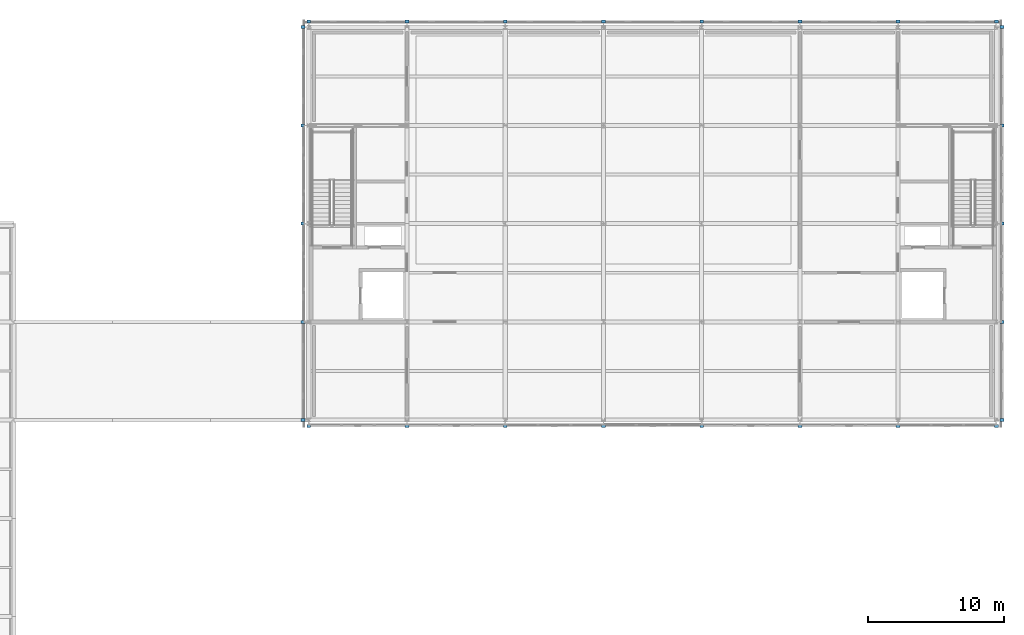
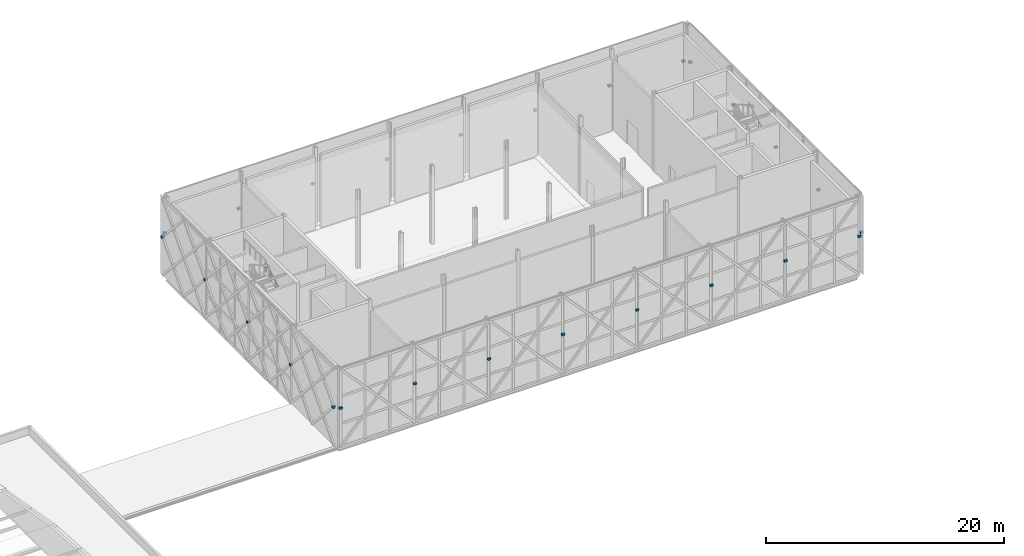
# One storey, part 73 of 76: 26 discrete accessories.
"""IFC4 building model written with IfcOpenShell, lengths in metres."""

from ifc_helpers import new_model, si_unit, direction, frame, origin, origin_2d, place, context, subcontext, project, spatial, rectangle, extrude, material, type_object, element, save


model = new_model("IFC4")

# Units and contexts
model_context = context("Model", 3, precision=1e-05, world=origin(), true_north=direction((0.0, 1.0)))
body_context = subcontext(model_context, "Body", "Model", "MODEL_VIEW")
ifc_project = project(units=[si_unit("LENGTHUNIT", "METRE"), si_unit("AREAUNIT", "SQUARE_METRE"), si_unit("VOLUMEUNIT", "CUBIC_METRE"), si_unit("PLANEANGLEUNIT", "RADIAN"), si_unit("MASSUNIT", "GRAM", prefix="KILO")], contexts=[model_context])

# Site, building, storey
site_placement = place(None, origin())
site = spatial("IfcSite", under=ifc_project, at=site_placement, CompositionType="ELEMENT")
building_placement = place(site_placement, origin())
building = spatial("IfcBuilding", under=site, at=building_placement, Name="Zlatovets Crest Museum", CompositionType="ELEMENT")
storey_placement = place(building_placement, frame((0.0, 0.0, 17.10009765625)))
storey = spatial("IfcBuildingStorey", under=building, at=storey_placement, Name="L04", CompositionType="ELEMENT", Elevation=17.10009765625)

# Discrete accessories
ifc_material = material(Name="Structural steel S355J2", Category="steel")
discrete_accessory_type = type_object("IfcDiscreteAccessoryType", Name="LatticeBracket_BK01", PredefinedType="BRACKET", material=ifc_material)
for number, where, z_axis, x_axis, name in (
    (1, (57.60009765625, 85.97998046875, 3.93994140625), (0.0, 0.0, 1.0), (1.0, 0.0, 0.0), "Bronze Lattice Structural Collector Bracket"),
    (2, (64.800048828125, 85.97998046875, 3.93994140625), (0.0, 0.0, 1.0), (1.0, 0.0, 0.0), "Bronze Lattice Structural Collector Bracket"),
    (3, (72.0, 85.97998046875, 3.93994140625), (0.0, 0.0, 1.0), (1.0, 0.0, 0.0), "Bronze Lattice Structural Collector Bracket"),
    (4, (79.199951171875, 85.97998046875, 3.93994140625), (0.0, 0.0, 1.0), (1.0, 0.0, 0.0), "Bronze Lattice Structural Collector Bracket"),
    (5, (86.39990234375, 85.97998046875, 3.93994140625), (0.0, 0.0, 1.0), (1.0, 0.0, 0.0), "Bronze Lattice Structural Collector Bracket"),
    (6, (93.60009765625, 85.97998046875, 3.93994140625), (0.0, 0.0, 1.0), (1.0, 0.0, 0.0), "Bronze Lattice Structural Collector Bracket"),
    (7, (100.800048828125, 85.97998046875, 3.93994140625), (0.0, 0.0, 1.0), (1.0, 0.0, 0.0), "Bronze Lattice Structural Collector Bracket"),
    (8, (108.0, 85.97998046875, 3.93994140625), (0.0, 0.0, 1.0), (1.0, 0.0, 0.0), "Bronze Lattice Structural Collector Bracket"),
    (9, (108.419921875, 86.39990234375, 3.93994140625), (0.0, 0.0, 1.0), (1.0, 0.0, 0.0), "Bronze Lattice Structural Collector Bracket"),
    (10, (108.419921875, 93.60009765625, 3.93994140625), (0.0, 0.0, 1.0), (1.0, 0.0, 0.0), "Bronze Lattice Structural Collector Bracket"),
    (11, (108.419921875, 100.800048828125, 3.93994140625), (0.0, 0.0, 1.0), (1.0, 0.0, 0.0), "Bronze Lattice Structural Collector Bracket"),
    (12, (108.419921875, 108.0, 3.93994140625), (0.0, 0.0, 1.0), (1.0, 0.0, 0.0), "Bronze Lattice Structural Collector Bracket"),
    (13, (108.419921875, 115.199951171875, 3.93994140625), (0.0, 0.0, 1.0), (1.0, 0.0, 0.0), "Bronze Lattice Structural Collector Bracket"),
    (14, (108.0, 115.6201171875, 3.93994140625), (0.0, 0.0, 1.0), (1.0, 0.0, 0.0), "Bronze Lattice Structural Collector Bracket"),
    (15, (100.800048828125, 115.6201171875, 3.93994140625), (0.0, 0.0, 1.0), (1.0, 0.0, 0.0), "Bronze Lattice Structural Collector Bracket"),
    (16, (93.60009765625, 115.6201171875, 3.93994140625), (0.0, 0.0, 1.0), (1.0, 0.0, 0.0), "Bronze Lattice Structural Collector Bracket"),
    (17, (86.39990234375, 115.6201171875, 3.93994140625), (0.0, 0.0, 1.0), (1.0, 0.0, 0.0), "Bronze Lattice Structural Collector Bracket"),
    (18, (79.199951171875, 115.6201171875, 3.93994140625), (0.0, 0.0, 1.0), (1.0, 0.0, 0.0), "Bronze Lattice Structural Collector Bracket"),
    (19, (72.0, 115.6201171875, 3.93994140625), (0.0, 0.0, 1.0), (1.0, 0.0, 0.0), "Bronze Lattice Structural Collector Bracket"),
    (20, (64.800048828125, 115.6201171875, 3.93994140625), (0.0, 0.0, 1.0), (1.0, 0.0, 0.0), "Bronze Lattice Structural Collector Bracket"),
    (21, (57.60009765625, 115.6201171875, 3.93994140625), (0.0, 0.0, 1.0), (1.0, 0.0, 0.0), "Bronze Lattice Structural Collector Bracket"),
    (22, (57.179931640625, 115.199951171875, 3.93994140625), (0.0, 0.0, 1.0), (1.0, 0.0, 0.0), "Bronze Lattice Structural Collector Bracket"),
    (23, (57.179931640625, 108.0, 3.93994140625), (0.0, 0.0, 1.0), (1.0, 0.0, 0.0), "Bronze Lattice Structural Collector Bracket"),
    (24, (57.179931640625, 100.800048828125, 3.93994140625), (0.0, 0.0, 1.0), (1.0, 0.0, 0.0), "Bronze Lattice Structural Collector Bracket"),
    (25, (57.179931640625, 93.60009765625, 3.93994140625), (0.0, 0.0, 1.0), (1.0, 0.0, 0.0), "Bronze Lattice Structural Collector Bracket"),
    (26, (57.179931640625, 86.39990234375, 3.93994140625), (0.0, 0.0, 1.0), (1.0, 0.0, 0.0), "Bronze Lattice Structural Collector Bracket"),
):
    element("IfcDiscreteAccessory", number, at=place(storey_placement, frame(where, z_axis=z_axis, x_axis=x_axis)), inside=storey, type_object=discrete_accessory_type, Name=name, PredefinedType="BRACKET", context=body_context, shape_type="SweptSolid", body=[
        extrude(rectangle(XDim=0.280029296875, YDim=0.219970703125, at=origin_2d()), origin(), (0.0, 0.0, 1.0), 0.219970703125),
    ])

save(model, "model.ifc")
